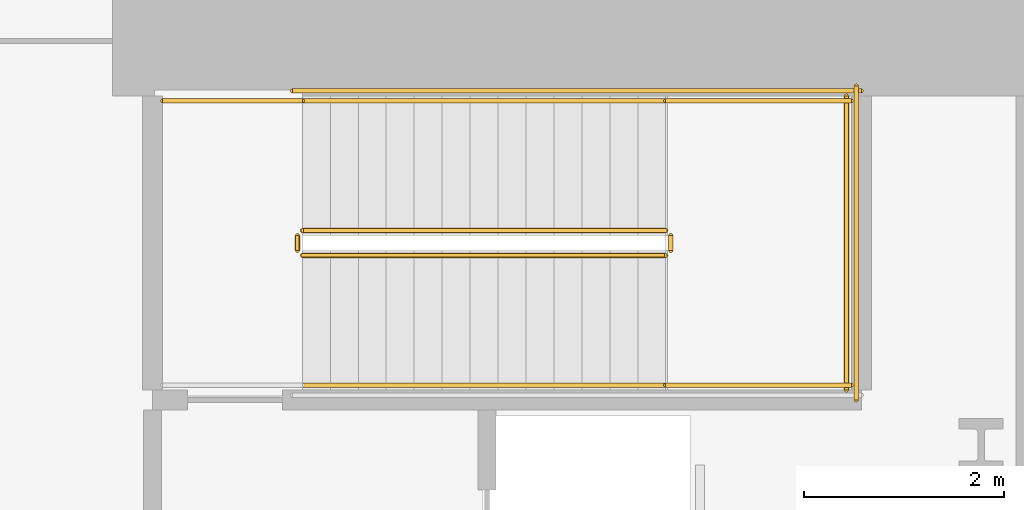
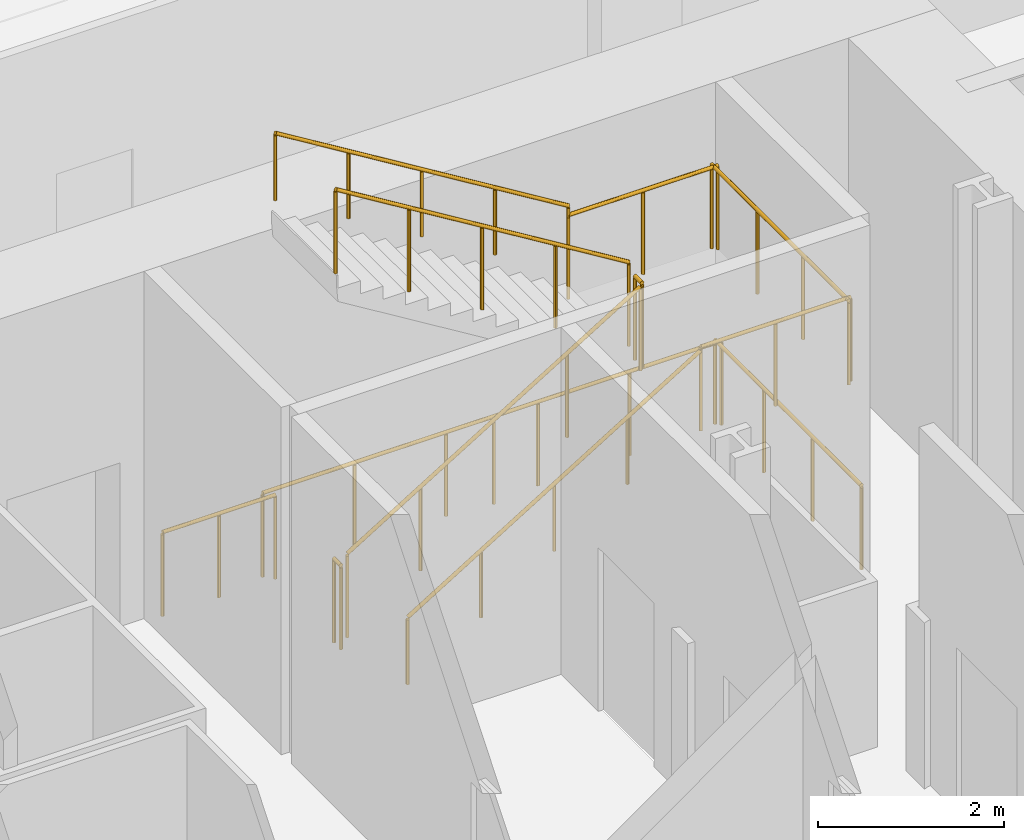
# One storey, part 16 of 19: 12 railings.
"""IFC4 building model written with IfcOpenShell, lengths in metres."""

from ifc_helpers import new_model, si_unit, direction, frame, origin, origin_2d, place, context, subcontext, project, spatial, circle, extrude, material, type_object, element, save


model = new_model("IFC4")

# Units and contexts
model_context = context("Model", 3, precision=1e-05, world=origin(), true_north=direction((0.0, 1.0)))
body_context = subcontext(model_context, "Body", "Model", "MODEL_VIEW")
ifc_project = project(units=[si_unit("LENGTHUNIT", "METRE"), si_unit("AREAUNIT", "SQUARE_METRE"), si_unit("VOLUMEUNIT", "CUBIC_METRE"), si_unit("PLANEANGLEUNIT", "RADIAN"), si_unit("MASSUNIT", "GRAM", prefix="KILO")], contexts=[model_context])

# Site, building, storey
site_placement = place(None, origin())
site = spatial("IfcSite", under=ifc_project, at=site_placement, CompositionType="ELEMENT")
building_placement = place(site_placement, origin())
building = spatial("IfcBuilding", under=site, at=building_placement, Name="Valkerne Bourse Tower", CompositionType="ELEMENT")
storey_placement = place(building_placement, frame((0.0, 0.0, 5.39990234375)))
storey = spatial("IfcBuildingStorey", under=building, at=storey_placement, Name="L01", CompositionType="ELEMENT", Elevation=5.39990234375)

# Railings
ifc_material_1 = material(Name="Galvanised Painted Steel", Category="steel")
railing_type_1 = type_object("IfcRailingType", Name="RLG-ST-GUARD-1120", PredefinedType="GUARDRAIL", material=ifc_material_1)
railing_1_placement = place(storey_placement, frame((48.14990234375, 33.550048828125, 0.171630859375)))
element("IfcRailing", 1, at=railing_1_placement, inside=storey, type_object=railing_type_1, Name="L01 ST-2 stair guard 1", PredefinedType="GUARDRAIL", context=body_context, shape_type="SweptSolid", body=[
    extrude(circle(Radius=0.02392578125, at=origin_2d()), frame((0.0, 0.0, 1.09619140625), z_axis=(0.852865859571, 0.0, 0.52213008492), x_axis=(0.0, 1.0, 0.0)), (0.0, 0.0, 1.0), 4.26806640625),
    extrude(circle(Radius=0.02099609375, at=origin_2d()), origin(), (0.0, 0.0, 1.0), 1.072021484375),
    extrude(circle(Radius=0.02099609375, at=origin_2d()), frame((0.91015625, 0.0, 0.55712890625)), (0.0, 0.0, 1.0), 1.072021484375),
    extrude(circle(Radius=0.02099609375, at=origin_2d()), frame((1.820068359375, 0.0, 1.1142578125)), (0.0, 0.0, 1.0), 1.072021484375),
    extrude(circle(Radius=0.02099609375, at=origin_2d()), frame((2.72998046875, 0.0, 1.67138671875)), (0.0, 0.0, 1.0), 1.072021484375),
    extrude(circle(Radius=0.02099609375, at=origin_2d()), frame((3.64013671875, 0.0, 2.228515625)), (0.0, 0.0, 1.0), 1.072021484375),
])
railing_2_placement = place(storey_placement, frame((51.840087890625, 33.60009765625, 2.400146484375)))
element("IfcRailing", 2, at=railing_2_placement, inside=storey, type_object=railing_type_1, Name="L01 ST-2 stair guard 2", PredefinedType="GUARDRAIL", context=body_context, shape_type="SweptSolid", body=[
    extrude(circle(Radius=0.02392578125, at=origin_2d()), frame((0.0, 0.0, 1.09619140625), z_axis=(0.0, 1.0, 0.0), x_axis=(-1.0, 0.0, 0.0)), (0.0, 0.0, 1.0), 0.14990234375),
    extrude(circle(Radius=0.02099609375, at=origin_2d()), origin(), (0.0, 0.0, 1.0), 1.072021484375),
    extrude(circle(Radius=0.02099609375, at=origin_2d()), frame((0.0, 0.14990234375, 0.0)), (0.0, 0.0, 1.0), 1.072021484375),
])
for number, where, name in (
    (3, (51.7900390625, 32.25, 2.400146484375), "L01 ST-2 stair guard 3"),
    (4, (51.7900390625, 35.10009765625, 2.400146484375), "L01 ST-2 stair guard 4"),
):
    element("IfcRailing", number, at=place(storey_placement, frame(where)), inside=storey, type_object=railing_type_1, Name=name, PredefinedType="GUARDRAIL", context=body_context, shape_type="SweptSolid", body=[
        extrude(circle(Radius=0.02392578125, at=origin_2d()), frame((0.0, 0.0, 1.09619140625), z_axis=(1.0, 0.0, 0.0), x_axis=(0.0, 1.0, 0.0)), (0.0, 0.0, 1.0), 1.85986328125),
        extrude(circle(Radius=0.02099609375, at=origin_2d()), origin(), (0.0, 0.0, 1.0), 1.072021484375),
        extrude(circle(Radius=0.02099609375, at=origin_2d()), frame((0.929931640625, 0.0, 0.0)), (0.0, 0.0, 1.0), 1.072021484375),
        extrude(circle(Radius=0.02099609375, at=origin_2d()), frame((1.85986328125, 0.0, 0.0)), (0.0, 0.0, 1.0), 1.072021484375),
    ])
railing_3_placement = place(storey_placement, frame((53.60009765625, 32.199951171875, 2.400146484375)))
element("IfcRailing", 5, at=railing_3_placement, inside=storey, type_object=railing_type_1, Name="L01 ST-2 stair guard 5", PredefinedType="GUARDRAIL", context=body_context, shape_type="SweptSolid", body=[
    extrude(circle(Radius=0.02392578125, at=origin_2d()), frame((0.0, 0.0, 1.09619140625), z_axis=(0.0, 1.0, 0.0), x_axis=(-1.0, 0.0, 0.0)), (0.0, 0.0, 1.0), 2.949951171875),
    extrude(circle(Radius=0.02099609375, at=origin_2d()), origin(), (0.0, 0.0, 1.0), 1.072021484375),
    extrude(circle(Radius=0.02099609375, at=origin_2d()), frame((0.0, 0.9833984375, 0.0)), (0.0, 0.0, 1.0), 1.072021484375),
    extrude(circle(Radius=0.02099609375, at=origin_2d()), frame((0.0, 1.966552734375, 0.0)), (0.0, 0.0, 1.0), 1.072021484375),
    extrude(circle(Radius=0.02099609375, at=origin_2d()), frame((0.0, 2.949951171875, 0.0)), (0.0, 0.0, 1.0), 1.072021484375),
])
railing_4_placement = place(storey_placement, frame((51.7900390625, 33.800048828125, 2.571533203125)))
element("IfcRailing", 6, at=railing_4_placement, inside=storey, type_object=railing_type_1, Name="L01 ST-2 stair guard 6", PredefinedType="GUARDRAIL", context=body_context, shape_type="SweptSolid", body=[
    extrude(circle(Radius=0.02392578125, at=origin_2d()), frame((0.0, 0.0, 1.09619140625), z_axis=(-0.852865859571, 0.0, 0.52213008492), x_axis=(0.0, -1.0, 0.0)), (0.0, 0.0, 1.0), 4.26806640625),
    extrude(circle(Radius=0.02099609375, at=origin_2d()), origin(), (0.0, 0.0, 1.0), 1.072021484375),
    extrude(circle(Radius=0.02099609375, at=origin_2d()), frame((-0.91015625, 0.0, 0.55712890625)), (0.0, 0.0, 1.0), 1.072021484375),
    extrude(circle(Radius=0.02099609375, at=origin_2d()), frame((-1.820068359375, 0.0, 1.1142578125)), (0.0, 0.0, 1.0), 1.072021484375),
    extrude(circle(Radius=0.02099609375, at=origin_2d()), frame((-2.72998046875, 0.0, 1.67138671875)), (0.0, 0.0, 1.0), 1.072021484375),
    extrude(circle(Radius=0.02099609375, at=origin_2d()), frame((-3.64013671875, 0.0, 2.228515625)), (0.0, 0.0, 1.0), 1.072021484375),
])
railing_5_placement = place(storey_placement, frame((48.10009765625, 33.60009765625, 0.0)))
element("IfcRailing", 7, at=railing_5_placement, inside=storey, type_object=railing_type_1, Name="L01 ST-2 stair guard 7", PredefinedType="GUARDRAIL", context=body_context, shape_type="SweptSolid", body=[
    extrude(circle(Radius=0.02392578125, at=origin_2d()), frame((0.0, 0.0, 1.09619140625), z_axis=(0.0, 1.0, 0.0), x_axis=(-1.0, 0.0, 0.0)), (0.0, 0.0, 1.0), 0.14990234375),
    extrude(circle(Radius=0.02099609375, at=origin_2d()), origin(), (0.0, 0.0, 1.0), 1.072021484375),
    extrude(circle(Radius=0.02099609375, at=origin_2d()), frame((0.0, 0.14990234375, 0.0)), (0.0, 0.0, 1.0), 1.072021484375),
])
railing_6_placement = place(storey_placement, frame((46.75, 35.10009765625, 0.0)))
element("IfcRailing", 8, at=railing_6_placement, inside=storey, type_object=railing_type_1, Name="L01 ST-2 stair guard 9", PredefinedType="GUARDRAIL", context=body_context, shape_type="SweptSolid", body=[
    extrude(circle(Radius=0.02392578125, at=origin_2d()), frame((0.0, 0.0, 1.09619140625), z_axis=(1.0, 0.0, 0.0), x_axis=(0.0, 1.0, 0.0)), (0.0, 0.0, 1.0), 1.39990234375),
    extrude(circle(Radius=0.02099609375, at=origin_2d()), origin(), (0.0, 0.0, 1.0), 1.072021484375),
    extrude(circle(Radius=0.02099609375, at=origin_2d()), frame((0.699951171875, 0.0, 0.0)), (0.0, 0.0, 1.0), 1.072021484375),
    extrude(circle(Radius=0.02099609375, at=origin_2d()), frame((1.39990234375, 0.0, 0.0)), (0.0, 0.0, 1.0), 1.072021484375),
])
railing_7_placement = place(storey_placement, frame((48.050048828125, 35.199951171875, 0.0)))
element("IfcRailing", 9, at=railing_7_placement, inside=storey, type_object=railing_type_1, Name="L01 ST-2 stair guard 11", PredefinedType="GUARDRAIL", context=body_context, shape_type="SweptSolid", body=[
    extrude(circle(Radius=0.02392578125, at=origin_2d()), frame((0.0, 0.0, 1.09619140625), z_axis=(1.0, 0.0, 0.0), x_axis=(0.0, 1.0, 0.0)), (0.0, 0.0, 1.0), 5.699951171875),
    extrude(circle(Radius=0.02099609375, at=origin_2d()), origin(), (0.0, 0.0, 1.0), 1.072021484375),
    extrude(circle(Radius=0.02099609375, at=origin_2d()), frame((1.139892578125, 0.0, 0.0)), (0.0, 0.0, 1.0), 1.072021484375),
    extrude(circle(Radius=0.02099609375, at=origin_2d()), frame((2.280029296875, 0.0, 0.0)), (0.0, 0.0, 1.0), 1.072021484375),
    extrude(circle(Radius=0.02099609375, at=origin_2d()), frame((3.419921875, 0.0, 0.0)), (0.0, 0.0, 1.0), 1.072021484375),
    extrude(circle(Radius=0.02099609375, at=origin_2d()), frame((4.56005859375, 0.0, 0.0)), (0.0, 0.0, 1.0), 1.072021484375),
    extrude(circle(Radius=0.02099609375, at=origin_2d()), frame((5.699951171875, 0.0, 0.0)), (0.0, 0.0, 1.0), 1.072021484375),
])
railing_8_placement = place(storey_placement, frame((53.699951171875, 32.10009765625, 0.0)))
element("IfcRailing", 10, at=railing_8_placement, inside=storey, type_object=railing_type_1, Name="L01 ST-2 stair guard 12", PredefinedType="GUARDRAIL", context=body_context, shape_type="SweptSolid", body=[
    extrude(circle(Radius=0.02392578125, at=origin_2d()), frame((0.0, 0.0, 1.09619140625), z_axis=(0.0, 1.0, 0.0), x_axis=(-1.0, 0.0, 0.0)), (0.0, 0.0, 1.0), 3.14990234375),
    extrude(circle(Radius=0.02099609375, at=origin_2d()), origin(), (0.0, 0.0, 1.0), 1.072021484375),
    extrude(circle(Radius=0.02099609375, at=origin_2d()), frame((0.0, 1.050048828125, 0.0)), (0.0, 0.0, 1.0), 1.072021484375),
    extrude(circle(Radius=0.02099609375, at=origin_2d()), frame((0.0, 2.099853515625, 0.0)), (0.0, 0.0, 1.0), 1.072021484375),
    extrude(circle(Radius=0.02099609375, at=origin_2d()), frame((0.0, 3.14990234375, 0.0)), (0.0, 0.0, 1.0), 1.072021484375),
])
ifc_material_2 = material(Name="Stainless Steel AISI 316", Category="steel")
railing_type_2 = type_object("IfcRailingType", Name="RLG-ST-HANDRAIL-900", PredefinedType="HANDRAIL", material=ifc_material_2)
railing_9_placement = place(storey_placement, frame((48.14990234375, 32.25, 0.343017578125)))
element("IfcRailing", 11, at=railing_9_placement, inside=storey, type_object=railing_type_2, Name="L01 ST-2 stair handrail 1", PredefinedType="HANDRAIL", context=body_context, shape_type="SweptSolid", body=[
    extrude(circle(Radius=0.02392578125, at=origin_2d()), frame((0.0, 0.0, 0.8759765625), z_axis=(0.852865859571, 0.0, 0.52213008492), x_axis=(0.0, 1.0, 0.0)), (0.0, 0.0, 1.0), 4.26806640625),
    extrude(circle(Radius=0.02099609375, at=origin_2d()), origin(), (0.0, 0.0, 1.0), 0.851806640625),
    extrude(circle(Radius=0.02099609375, at=origin_2d()), frame((0.91015625, 0.0, 0.55712890625)), (0.0, 0.0, 1.0), 0.851806640625),
    extrude(circle(Radius=0.02099609375, at=origin_2d()), frame((1.820068359375, 0.0, 1.1142578125)), (0.0, 0.0, 1.0), 0.851806640625),
    extrude(circle(Radius=0.02099609375, at=origin_2d()), frame((2.72998046875, 0.0, 1.67138671875)), (0.0, 0.0, 1.0), 0.851806640625),
    extrude(circle(Radius=0.02099609375, at=origin_2d()), frame((3.64013671875, 0.0, 2.228515625)), (0.0, 0.0, 1.0), 0.851806640625),
])
railing_10_placement = place(storey_placement, frame((51.7900390625, 35.10009765625, 2.742919921875)))
element("IfcRailing", 12, at=railing_10_placement, inside=storey, type_object=railing_type_2, Name="L01 ST-2 stair handrail 2", PredefinedType="HANDRAIL", context=body_context, shape_type="SweptSolid", body=[
    extrude(circle(Radius=0.02392578125, at=origin_2d()), frame((0.0, 0.0, 0.8759765625), z_axis=(-0.852865859571, 0.0, 0.52213008492), x_axis=(0.0, -1.0, 0.0)), (0.0, 0.0, 1.0), 4.26806640625),
    extrude(circle(Radius=0.02099609375, at=origin_2d()), origin(), (0.0, 0.0, 1.0), 0.851806640625),
    extrude(circle(Radius=0.02099609375, at=origin_2d()), frame((-0.91015625, 0.0, 0.55712890625)), (0.0, 0.0, 1.0), 0.851806640625),
    extrude(circle(Radius=0.02099609375, at=origin_2d()), frame((-1.820068359375, 0.0, 1.1142578125)), (0.0, 0.0, 1.0), 0.851806640625),
    extrude(circle(Radius=0.02099609375, at=origin_2d()), frame((-2.72998046875, 0.0, 1.67138671875)), (0.0, 0.0, 1.0), 0.851806640625),
    extrude(circle(Radius=0.02099609375, at=origin_2d()), frame((-3.64013671875, 0.0, 2.228515625)), (0.0, 0.0, 1.0), 0.851806640625),
])

save(model, "model.ifc")
